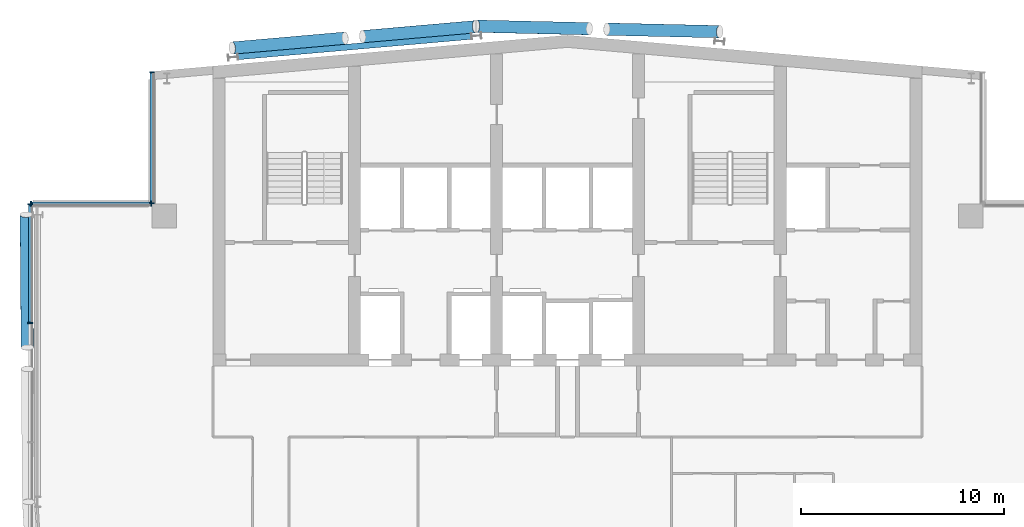
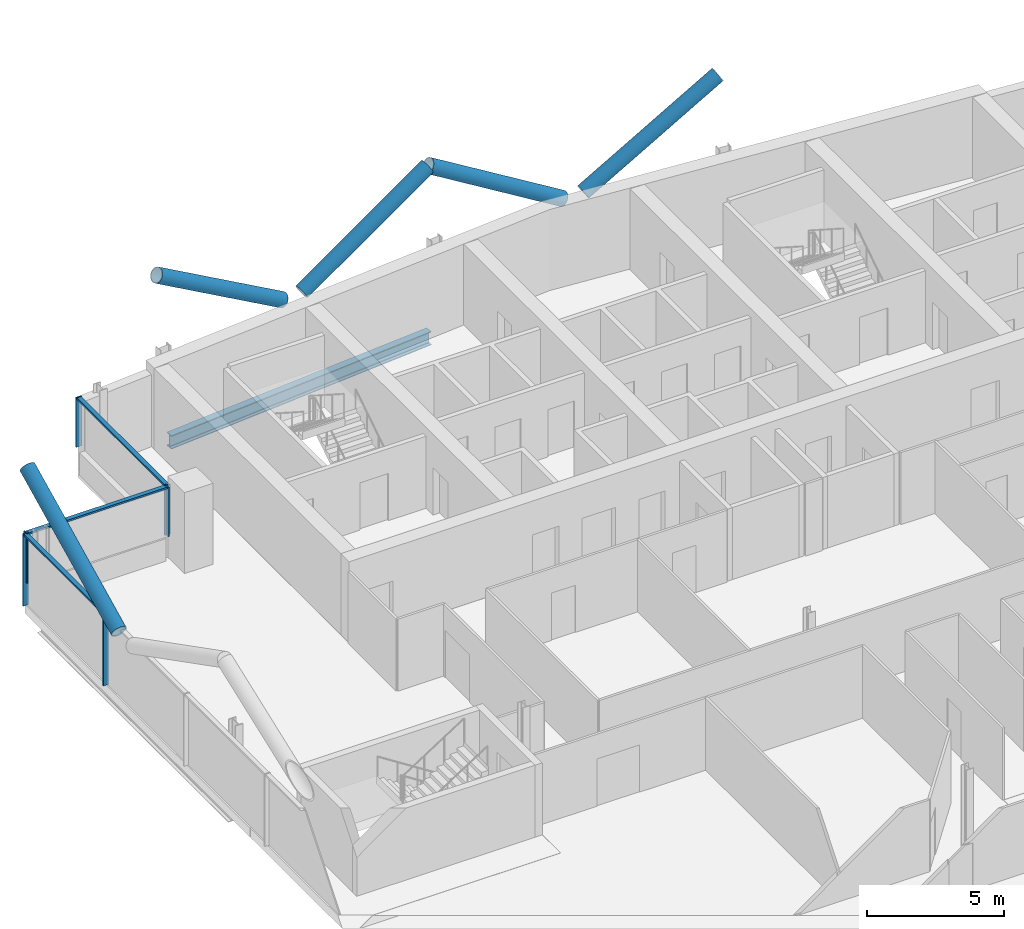
# One storey, part 10 of 27: 14 members, 1 beam, 3 elements without a shape of their own.
"""IFC4 building model written with IfcOpenShell, lengths in metres."""

from ifc_helpers import new_model, si_unit, direction, frame, origin, origin_2d, place, context, subcontext, project, spatial, rectangle, hollow_circle, i_section, extrude, material, material_profile, profile_set, type_object, element, aggregate, save


model = new_model("IFC4")

# Units and contexts
model_context = context("Model", 3, precision=1e-05, world=origin(), true_north=direction((0.0, 1.0)))
body_context = subcontext(model_context, "Body", "Model", "MODEL_VIEW")
ifc_project = project(units=[si_unit("LENGTHUNIT", "METRE"), si_unit("AREAUNIT", "SQUARE_METRE"), si_unit("VOLUMEUNIT", "CUBIC_METRE"), si_unit("PLANEANGLEUNIT", "RADIAN"), si_unit("MASSUNIT", "GRAM", prefix="KILO")], contexts=[model_context])

# Site, building, storey
site_placement = place(None, origin())
site = spatial("IfcSite", under=ifc_project, at=site_placement, CompositionType="ELEMENT")
building_placement = place(site_placement, origin())
building = spatial("IfcBuilding", under=site, at=building_placement, Name="Wharfspan Tower", CompositionType="ELEMENT")
storey_placement = place(building_placement, frame((0.0, 0.0, 243.100098)))
storey = spatial("IfcBuildingStorey", under=building, at=storey_placement, Name="L61", CompositionType="ELEMENT", Elevation=243.100098)

# Beam
ifc_material_1 = material(Name="Steel S355J2", Category="steel")
ifc_material_profile_1 = material_profile(ifc_material_1, i_section(OverallWidth=0.300049, OverallDepth=0.600098, WebThickness=0.015381, FlangeThickness=0.030029, FilletRadius=0.0271, at=origin_2d()))
ifc_profile_set_1 = profile_set([ifc_material_profile_1], Name="Steel S355J2")
beam_type = type_object("IfcBeamType", Name="Edge beam HEB 600", PredefinedType="SPANDREL", material=ifc_profile_set_1)
beam_placement = place(storey_placement, frame((35.754883, 50.263428, -0.700195), z_axis=(-0.996194, -0.087165, 0.0), x_axis=(0.087165, -0.996194, 0.0)))
element("IfcBeam", 1, at=beam_placement, inside=storey, type_object=beam_type, Name="Edge beam N1 L61 R.2 to R.1", PredefinedType="SPANDREL", context=body_context, shape_type="SweptSolid", body=[
    extrude(i_section(OverallWidth=0.300049, OverallDepth=0.600098, WebThickness=0.015381, FlangeThickness=0.030029, FilletRadius=0.0271, at=origin_2d()), origin(), (0.0, 0.0, 1.0), 11.553711),
])

# Curtain wall, members
ifc_material_2 = material(Name="Aluminium 6063-T6", Category="aluminium")
curtain_wall_type = type_object("IfcCurtainWallType", Name="CURTAIN WALL PROW AND END", PredefinedType="NOTDEFINED", material=ifc_material_2)
curtain_wall_1_placement = place(storey_placement, origin())
curtain_wall_1 = element("IfcCurtainWall", 2, at=curtain_wall_1_placement, inside=storey, type_object=curtain_wall_type, Name="Curtain wall NRW-V", PredefinedType="NOTDEFINED")
ifc_material_profile_2 = material_profile(ifc_material_2, rectangle(XDim=0.23999, YDim=0.060059, at=origin_2d()))
ifc_profile_set_2 = profile_set([ifc_material_profile_2], Name="Aluminium 6063-T6")
member_type_1 = type_object("IfcMemberType", Name="MULLION PROW AND END 60x240", PredefinedType="MULLION", material=ifc_profile_set_2)
member_1_placement = place(storey_placement, frame((20.0, 48.494873, 1.0), z_axis=(0.0, 0.0, 1.0), x_axis=(1.0, 0.0, 0.0)))
member_1 = element("IfcMember", 3, at=member_1_placement, type_object=member_type_1, Name="Curtain wall NRW-V mullion 1", PredefinedType="MULLION", context=body_context, shape_type="SweptSolid", body=[
    extrude(rectangle(XDim=0.23999, YDim=0.060059, at=origin_2d()), origin(), (0.0, 0.0, 1.0), 2.199951),
])
member_2_placement = place(storey_placement, frame((20.0, 42.030029, 1.0), z_axis=(0.0, 0.0, 1.0), x_axis=(1.0, 0.0, 0.0)))
member_2 = element("IfcMember", 4, at=member_2_placement, type_object=member_type_1, Name="Curtain wall NRW-V mullion 2", PredefinedType="MULLION", context=body_context, shape_type="SweptSolid", body=[
    extrude(rectangle(XDim=0.23999, YDim=0.060059, at=origin_2d()), origin(), (0.0, 0.0, 1.0), 2.199951),
])

curtain_wall_2_placement = place(storey_placement, origin())
curtain_wall_2 = element("IfcCurtainWall", 5, at=curtain_wall_2_placement, inside=storey, type_object=curtain_wall_type, Name="Curtain wall NRW-H", PredefinedType="NOTDEFINED")
member_3_placement = place(storey_placement, frame((19.969971, 42.0, 1.0), z_axis=(0.0, 0.0, 1.0), x_axis=(0.0, -1.0, 0.0)))
member_3 = element("IfcMember", 6, at=member_3_placement, type_object=member_type_1, Name="Curtain wall NRW-H mullion 1", PredefinedType="MULLION", context=body_context, shape_type="SweptSolid", body=[
    extrude(rectangle(XDim=0.23999, YDim=0.060059, at=origin_2d()), origin(), (0.0, 0.0, 1.0), 2.199951),
])
member_4_placement = place(storey_placement, frame((14.030029, 42.0, 1.0), z_axis=(0.0, 0.0, 1.0), x_axis=(0.0, -1.0, 0.0)))
member_4 = element("IfcMember", 7, at=member_4_placement, type_object=member_type_1, Name="Curtain wall NRW-H mullion 2", PredefinedType="MULLION", context=body_context, shape_type="SweptSolid", body=[
    extrude(rectangle(XDim=0.23999, YDim=0.060059, at=origin_2d()), origin(), (0.0, 0.0, 1.0), 2.199951),
])

curtain_wall_3_placement = place(storey_placement, origin())
curtain_wall_3 = element("IfcCurtainWall", 8, at=curtain_wall_3_placement, inside=storey, type_object=curtain_wall_type, Name="Curtain wall W", PredefinedType="NOTDEFINED")
member_5_placement = place(storey_placement, frame((14.0, 41.969971, 0.0), z_axis=(0.0, 0.0, 1.0), x_axis=(1.0, 0.0, 0.0)))
member_5 = element("IfcMember", 9, at=member_5_placement, type_object=member_type_1, Name="Curtain wall W mullion 1", PredefinedType="MULLION", context=body_context, shape_type="SweptSolid", body=[
    extrude(rectangle(XDim=0.23999, YDim=0.060059, at=origin_2d()), origin(), (0.0, 0.0, 1.0), 3.199951),
])
member_6_placement = place(storey_placement, frame((14.0, 36.120117, 0.0), z_axis=(0.0, 0.0, 1.0), x_axis=(1.0, 0.0, 0.0)))
member_6 = element("IfcMember", 10, at=member_6_placement, type_object=member_type_1, Name="Curtain wall W mullion 2", PredefinedType="MULLION", context=body_context, shape_type="SweptSolid", body=[
    extrude(rectangle(XDim=0.23999, YDim=0.060059, at=origin_2d()), origin(), (0.0, 0.0, 1.0), 3.199951),
])

# Members
ifc_material_3 = material(Name="Steel S460NH", Category="steel")
ifc_material_profile_3 = material_profile(ifc_material_3, hollow_circle(Radius=0.304932, WallThickness=0.024902, at=origin_2d()))
ifc_profile_set_3 = profile_set([ifc_material_profile_3], Name="Steel S460NH")
member_type_2 = type_object("IfcMemberType", Name="Mega brace CHS 610x25", PredefinedType="BRACE", material=ifc_profile_set_3)
member_7_placement = place(storey_placement, frame((13.844727, 34.910645, 3.169678), z_axis=(-0.007044, 0.891347, 0.453266), x_axis=(-0.999973, -0.007904, 3e-06)))
element("IfcMember", 11, at=member_7_placement, inside=storey, type_object=member_type_2, Name="Mega brace W3 L61 part 4", PredefinedType="BRACE", context=body_context, shape_type="SweptSolid", body=[
    extrude(hollow_circle(Radius=0.304932, WallThickness=0.024902, at=origin_2d()), origin(), (0.0, 0.0, 1.0), 7.347412),
])
for number, where, z_axis, x_axis, name in (
    (12, (30.393555, 50.248047, 3.159668), (0.855087, 0.07481, 0.51306), (-0.087154, 0.996194, -2e-06), "Mega brace N7 L61 part 2"),
    (13, (29.527588, 50.172119, 3.159668), (-0.855077, -0.074813, 0.513076), (0.087161, -0.996195, 2e-06), "Mega brace N7 L61 part 4"),
):
    element("IfcMember", number, at=place(storey_placement, frame(where, z_axis=z_axis, x_axis=x_axis)), inside=storey, type_object=member_type_2, Name=name, PredefinedType="BRACE", context=body_context, shape_type="SweptSolid", body=[
        extrude(hollow_circle(Radius=0.304932, WallThickness=0.024902, at=origin_2d()), origin(), (0.0, 0.0, 1.0), 6.510498),
    ])
for number, where, z_axis, x_axis, name in (
    (14, (42.442871, 50.616699, 3.159424), (0.85732, -0.019474, 0.514415), (0.022708, 0.999746, 2e-06), "Mega brace N8 L61 part 2"),
    (15, (41.577881, 50.636475, 3.159424), (-0.85732, 0.019474, 0.514415), (-0.022708, -0.999746, 2e-06), "Mega brace N8 L61 part 4"),
):
    element("IfcMember", number, at=place(storey_placement, frame(where, z_axis=z_axis, x_axis=x_axis)), inside=storey, type_object=member_type_2, Name=name, PredefinedType="BRACE", context=body_context, shape_type="SweptSolid", body=[
        extrude(hollow_circle(Radius=0.304932, WallThickness=0.024902, at=origin_2d()), origin(), (0.0, 0.0, 1.0), 6.493896),
    ])

# Member
ifc_material_profile_4 = material_profile(ifc_material_2, rectangle(XDim=0.179932, YDim=0.080078, at=origin_2d()))
ifc_profile_set_4 = profile_set([ifc_material_profile_4], Name="Aluminium 6063-T6")
member_type_3 = type_object("IfcMemberType", Name="TRANSOM PROW AND END 80x180", PredefinedType="USERDEFINED", material=ifc_profile_set_4)
member_8_placement = place(storey_placement, frame((20.0, 48.464844, 3.159912), z_axis=(0.0, -1.0, 0.0), x_axis=(1.0, 0.0, 0.0)))
member_8 = element("IfcMember", 16, at=member_8_placement, type_object=member_type_3, Name="Curtain wall NRW-V transom 1", ObjectType="TRANSOM", PredefinedType="USERDEFINED", context=body_context, shape_type="SweptSolid", body=[
    extrude(rectangle(XDim=0.179932, YDim=0.080078, at=origin_2d()), origin(), (0.0, 0.0, 1.0), 6.404785),
])

aggregate(curtain_wall_1, [member_1, member_2, member_8])

member_9_placement = place(storey_placement, frame((19.939941, 42.0, 3.159912), z_axis=(-1.0, 0.0, 0.0), x_axis=(0.0, -1.0, 0.0)))
member_9 = element("IfcMember", 17, at=member_9_placement, type_object=member_type_3, Name="Curtain wall NRW-H transom 1", ObjectType="TRANSOM", PredefinedType="USERDEFINED", context=body_context, shape_type="SweptSolid", body=[
    extrude(rectangle(XDim=0.179932, YDim=0.080078, at=origin_2d()), origin(), (0.0, 0.0, 1.0), 5.879883),
])

aggregate(curtain_wall_2, [member_3, member_4, member_9])

member_10_placement = place(storey_placement, frame((14.0, 41.939941, 3.159912), z_axis=(0.0, -1.0, 0.0), x_axis=(1.0, 0.0, 0.0)))
member_10 = element("IfcMember", 18, at=member_10_placement, type_object=member_type_3, Name="Curtain wall W transom 1", ObjectType="TRANSOM", PredefinedType="USERDEFINED", context=body_context, shape_type="SweptSolid", body=[
    extrude(rectangle(XDim=0.179932, YDim=0.080078, at=origin_2d()), origin(), (0.0, 0.0, 1.0), 5.790039),
])

aggregate(curtain_wall_3, [member_5, member_6, member_10])

save(model, "model.ifc")
